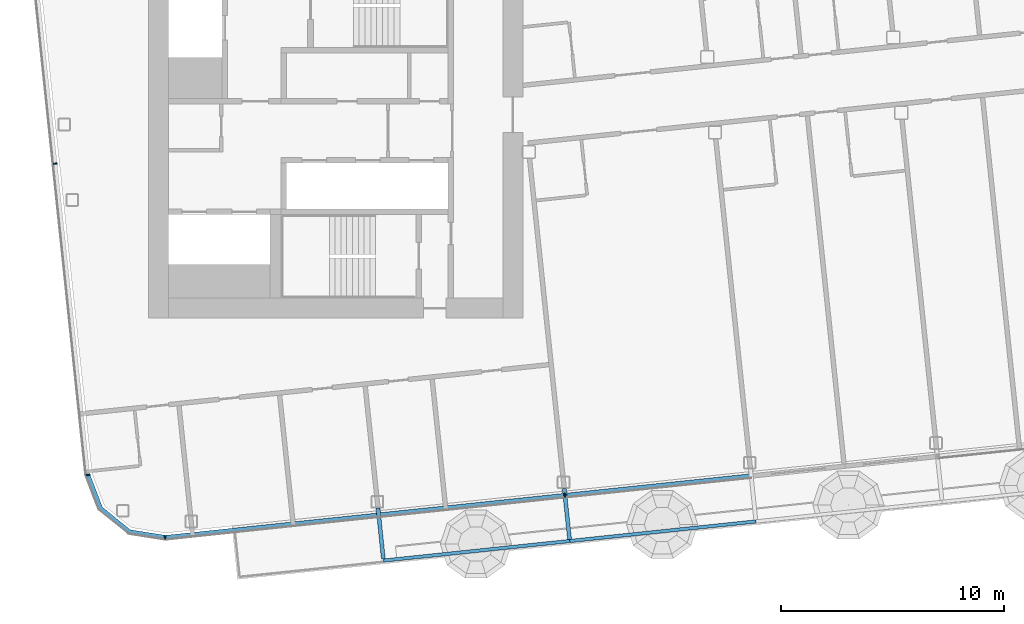
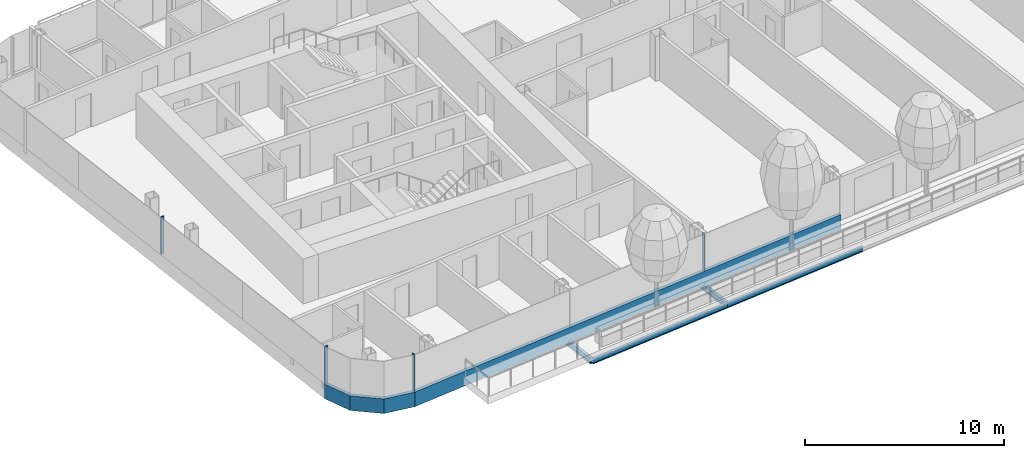
# One storey, part 3 of 30: 6 members, 4 beams, 3 elements without a shape of their own.
"""IFC4 building model written with IfcOpenShell, lengths in metres."""

from ifc_helpers import new_model, si_unit, direction, frame, origin, origin_2d, place, context, subcontext, project, spatial, polyline, rectangle, i_section, outline, extrude, material, layer, layer_set, material_profile, profile_set, type_object, element, aggregate, save


model = new_model("IFC4")

# Units and contexts
model_context = context("Model", 3, precision=1e-05, world=origin(), true_north=direction((0.0, 1.0)))
body_context = subcontext(model_context, "Body", "Model", "MODEL_VIEW")
ifc_project = project(units=[si_unit("LENGTHUNIT", "METRE"), si_unit("AREAUNIT", "SQUARE_METRE"), si_unit("VOLUMEUNIT", "CUBIC_METRE"), si_unit("PLANEANGLEUNIT", "RADIAN"), si_unit("MASSUNIT", "GRAM", prefix="KILO")], contexts=[model_context])

# Site, building, storey
site_placement = place(None, origin())
site = spatial("IfcSite", under=ifc_project, at=site_placement, CompositionType="ELEMENT")
building_placement = place(site_placement, origin())
building = spatial("IfcBuilding", under=site, at=building_placement, Name="Hakoniwa Tower and Hamabe Station Hall", CompositionType="ELEMENT")
storey_placement = place(building_placement, frame((0.0, 0.0, 245.39990234375)))
storey = spatial("IfcBuildingStorey", under=building, at=storey_placement, Name="L69", CompositionType="ELEMENT", Elevation=245.39990234375)

# Beams
ifc_material_1 = material(Name="Steel SN490B", Category="steel")
ifc_material_profile_1 = material_profile(ifc_material_1, i_section(OverallWidth=0.175048828125, OverallDepth=0.35009765625, WebThickness=0.007080078125, FlangeThickness=0.010986328125, FilletRadius=0.013916015625, at=origin_2d()), Name="H-350x175x7x11")
ifc_profile_set_1 = profile_set([ifc_material_profile_1], Name="Steel SN490B")
beam_type_1 = type_object("IfcBeamType", Name="BALCONY BRACKET H-350x175x7x11", PredefinedType="BEAM", material=ifc_profile_set_1)
for number, where, z_axis, x_axis, name in (
    (1, (-23.298095703125, -16.916748046875, -0.625), (0.104557694553, -0.994518822602, 0.0), (0.994518822602, 0.104557694553, 0.0), "Balcony bracket B5-4-A5"),
    (2, (-14.944091796875, -16.03857421875, -0.625), (0.104557694553, -0.994518822602, 0.0), (0.994518822602, 0.104557694553, 0.0), "Balcony bracket B5-5-A5"),
):
    element("IfcBeam", number, at=place(storey_placement, frame(where, z_axis=z_axis, x_axis=x_axis)), inside=storey, type_object=beam_type_1, Name=name, PredefinedType="BEAM", context=body_context, shape_type="SweptSolid", body=[
        extrude(i_section(OverallWidth=0.175048828125, OverallDepth=0.35009765625, WebThickness=0.007080078125, FlangeThickness=0.010986328125, FilletRadius=0.013916015625, at=origin_2d()), origin(), (0.0, 0.0, 1.0), 2.300048828125),
    ])
ifc_material_2 = material(Name="Steel SN490B", Category="steel")
ifc_material_profile_2 = material_profile(ifc_material_2, i_section(OverallWidth=0.14990234375, OverallDepth=0.300048828125, WebThickness=0.006591796875, FlangeThickness=0.009033203125, FilletRadius=0.012939453125, at=origin_2d()), Name="H-300x150x6.5x9")
ifc_profile_set_2 = profile_set([ifc_material_profile_2], Name="Steel SN490B")
beam_type_2 = type_object("IfcBeamType", Name="BALCONY EDGE BEAM H-300x150x6.5x9", PredefinedType="BEAM", material=ifc_profile_set_2)
beam_1_placement = place(storey_placement, frame((-23.0498046875, -19.27880859375, -0.599853515625), z_axis=(0.994520253788, 0.104544080685, 0.0), x_axis=(-0.104544080685, 0.994520253788, 0.0)))
element("IfcBeam", 3, at=beam_1_placement, inside=storey, type_object=beam_type_2, Name="Balcony edge beam B5-4-A5-B5-5-A5", PredefinedType="BEAM", context=body_context, shape_type="SweptSolid", body=[
    extrude(i_section(OverallWidth=0.14990234375, OverallDepth=0.300048828125, WebThickness=0.006591796875, FlangeThickness=0.009033203125, FilletRadius=0.012939453125, at=origin_2d()), origin(), (0.0, 0.0, 1.0), 8.400146484375),
])
beam_2_placement = place(storey_placement, frame((-14.69580078125, -18.400634765625, -0.599853515625), z_axis=(0.994523275226, 0.104515333968, 0.0), x_axis=(-0.104515333968, 0.994523275226, 0.0)))
element("IfcBeam", 4, at=beam_2_placement, inside=storey, type_object=beam_type_2, Name="Balcony edge beam B5-5-A5-B5-6-A5", PredefinedType="BEAM", context=body_context, shape_type="SweptSolid", body=[
    extrude(i_section(OverallWidth=0.14990234375, OverallDepth=0.300048828125, WebThickness=0.006591796875, FlangeThickness=0.009033203125, FilletRadius=0.012939453125, at=origin_2d()), origin(), (0.0, 0.0, 1.0), 8.39990234375),
])

# Curtain wall, member
ifc_material_3 = material(Name="Dark low-e laminated glass", Category="glass")
ifc_layer = layer(ifc_material_3, 0.199951171875)
ifc_layer_set = layer_set([ifc_layer], Name="CW-1 UNITISED GUEST")
curtain_wall_type = type_object("IfcCurtainWallType", Name="CW-1 UNITISED GUEST", PredefinedType="NOTDEFINED", material=ifc_layer_set)
curtain_wall_1_placement = place(storey_placement, origin())
curtain_wall_1 = element("IfcCurtainWall", 5, at=curtain_wall_1_placement, inside=storey, type_object=curtain_wall_type, Name="CW-1 curtain wall", PredefinedType="NOTDEFINED")
ifc_material_4 = material(Name="Aluminium 6063-T5 black anodised", Category="aluminium")
ifc_material_profile_3 = material_profile(ifc_material_4, rectangle(XDim=0.199951171875, YDim=0.89990234375, at=origin_2d()), Name="CW SLAB-EDGE BAND 900X200")
ifc_profile_set_3 = profile_set([ifc_material_profile_3], Name="Aluminium 6063-T5 black anodised")
member_type_1 = type_object("IfcMemberType", Name="CW SLAB-EDGE BAND 900X200", PredefinedType="USERDEFINED", material=ifc_profile_set_3)
member_1_placement = place(storey_placement, frame((0.0, 0.0, -0.5498046875)))
member_1 = element("IfcMember", 6, at=member_1_placement, type_object=member_type_1, Name="CW-1 transom", ObjectType="TRANSOM", PredefinedType="USERDEFINED", context=body_context, shape_type="SweptSolid", body=[
    extrude(outline(polyline([(-36.423828125, -15.445068359375), (-35.82421875, -17.0068359375), (-34.492431640625, -18.085205078125), (-32.84033203125, -18.346923828125), (-32.80908203125, -18.1494140625), (-34.408203125, -17.89599609375), (-35.65673828125, -16.885009765625), (-36.237060546875, -15.37353515625), (-36.423828125, -15.445068359375)])), origin(), (0.0, 0.0, 1.0), 0.89990234375),
])
aggregate(curtain_wall_1, [member_1])

curtain_wall_2_placement = place(storey_placement, origin())
curtain_wall_2 = element("IfcCurtainWall", 7, at=curtain_wall_2_placement, inside=storey, type_object=curtain_wall_type, Name="CW-1 curtain wall", PredefinedType="NOTDEFINED")
member_2_placement = place(storey_placement, frame((-32.850830078125, -18.24755859375, -0.099853515625), z_axis=(0.994521696145, 0.104530358733, 0.0), x_axis=(-0.104530358733, 0.994521696145, 0.0)))
member_2 = element("IfcMember", 8, at=member_2_placement, type_object=member_type_1, Name="CW-1 transom", ObjectType="TRANSOM", PredefinedType="USERDEFINED", context=body_context, shape_type="SweptSolid", body=[
    extrude(rectangle(XDim=0.199951171875, YDim=0.89990234375, at=origin_2d()), origin(), (0.0, 0.0, 1.0), 26.499755859375),
])

# Curtain wall, members
curtain_wall_3_placement = place(storey_placement, origin())
curtain_wall_3 = element("IfcCurtainWall", 9, at=curtain_wall_3_placement, inside=storey, type_object=curtain_wall_type, Name="CW-1 curtain wall", PredefinedType="NOTDEFINED")
ifc_material_5 = material(Name="Aluminium 6063-T5 black anodised", Category="aluminium")
ifc_material_profile_4 = material_profile(ifc_material_5, rectangle(XDim=0.06005859375, YDim=0.179931640625, at=origin_2d()), Name="CW-1 MULLION 60X180")
ifc_profile_set_4 = profile_set([ifc_material_profile_4], Name="Aluminium 6063-T5 black anodised")
member_type_2 = type_object("IfcMemberType", Name="CW-1 MULLION 60X180", PredefinedType="MULLION", material=ifc_profile_set_4)
member_3_placement = place(storey_placement, frame((-37.77392578125, -1.47021484375, 0.35009765625), z_axis=(0.0, 0.0, 1.0), x_axis=(0.104528468631, -0.994521894805, 0.0)))
member_3 = element("IfcMember", 10, at=member_3_placement, type_object=member_type_2, Name="CW-1 mullion", PredefinedType="MULLION", context=body_context, shape_type="SweptSolid", body=[
    extrude(rectangle(XDim=0.06005859375, YDim=0.179931640625, at=origin_2d()), origin(), (0.0, 0.0, 1.0), 2.300048828125),
])
member_4_placement = place(storey_placement, frame((-36.306396484375, -15.432861328125, 0.35009765625), z_axis=(0.0, 0.0, 1.0), x_axis=(0.104528468631, -0.994521894805, 0.0)))
member_4 = element("IfcMember", 11, at=member_4_placement, type_object=member_type_2, Name="CW-1 mullion", PredefinedType="MULLION", context=body_context, shape_type="SweptSolid", body=[
    extrude(rectangle(XDim=0.06005859375, YDim=0.179931640625, at=origin_2d()), origin(), (0.0, 0.0, 1.0), 2.300048828125),
])
aggregate(curtain_wall_3, [member_3, member_4])

# Member
member_5_placement = place(storey_placement, frame((-32.8525390625, -18.2294921875, 0.35009765625), z_axis=(0.0, 0.0, 1.0), x_axis=(0.994521895272, 0.104528464188, 0.0)))
member_5 = element("IfcMember", 12, at=member_5_placement, type_object=member_type_2, Name="CW-1 mullion", PredefinedType="MULLION", context=body_context, shape_type="SweptSolid", body=[
    extrude(rectangle(XDim=0.06005859375, YDim=0.179931640625, at=origin_2d()), origin(), (0.0, 0.0, 1.0), 2.300048828125),
])

member_6_placement = place(storey_placement, frame((-14.911865234375, -16.343994140625, 0.35009765625), z_axis=(0.0, 0.0, 1.0), x_axis=(0.994521895272, 0.104528464188, 0.0)))
member_6 = element("IfcMember", 13, at=member_6_placement, type_object=member_type_2, Name="CW-1 mullion", PredefinedType="MULLION", context=body_context, shape_type="SweptSolid", body=[
    extrude(rectangle(XDim=0.06005859375, YDim=0.179931640625, at=origin_2d()), origin(), (0.0, 0.0, 1.0), 2.300048828125),
])

aggregate(curtain_wall_2, [member_5, member_6, member_2])

save(model, "model.ifc")
